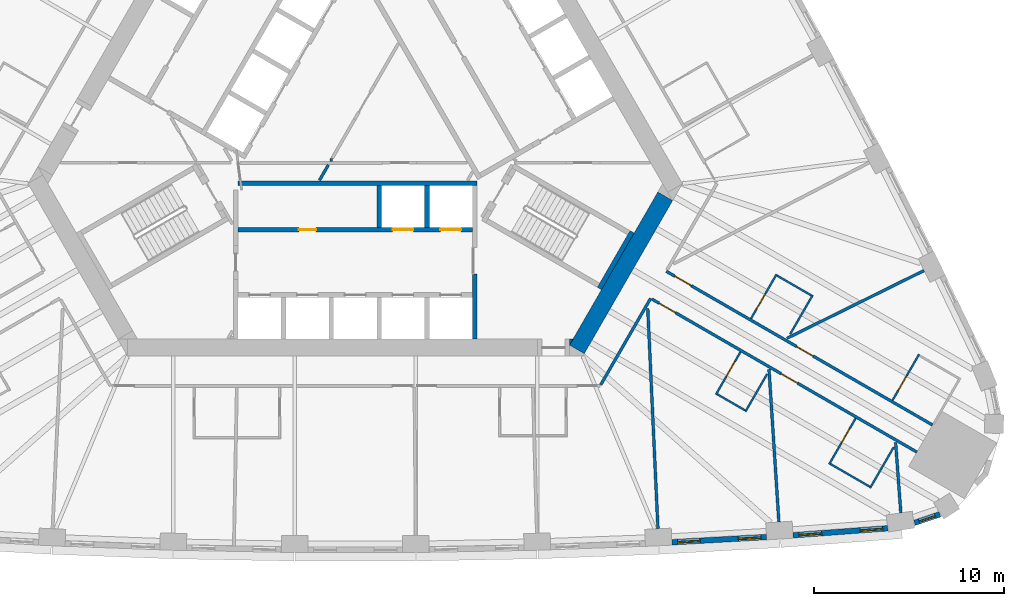
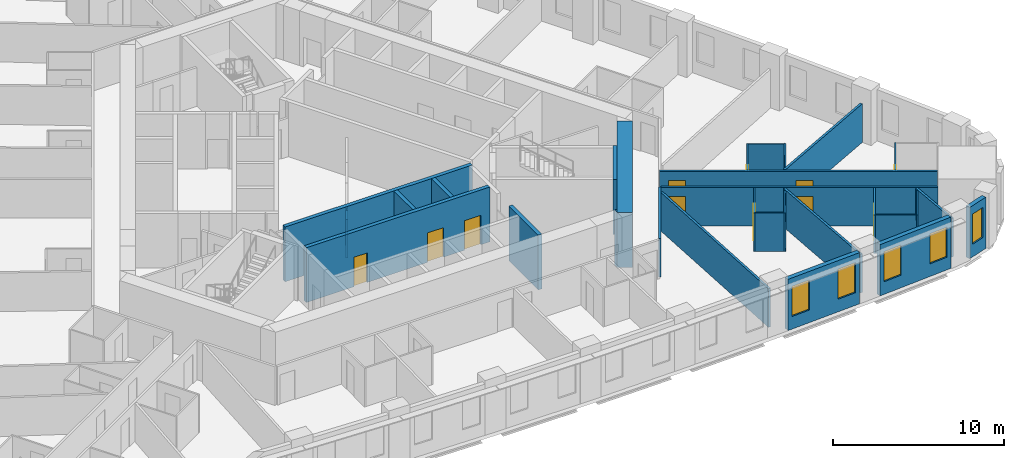
# One storey, part 7 of 13: 30 walls, 11 doors, 5 windows, 16 openings.
"""IFC4 building model written with IfcOpenShell, lengths in metres."""

from ifc_helpers import new_model, si_unit, direction, frame, frame_2d, origin, place, context, subcontext, project, spatial, polyline, rectangle, outline, extrude, material, layer, layer_set, type_object, element, fill, save


model = new_model("IFC4")

# Units and contexts
model_context = context("Model", 3, precision=1e-05, world=origin(), true_north=direction((0.0, 1.0)))
body_context = subcontext(model_context, "Body", "Model", "MODEL_VIEW")
ifc_project = project(units=[si_unit("LENGTHUNIT", "METRE"), si_unit("AREAUNIT", "SQUARE_METRE"), si_unit("VOLUMEUNIT", "CUBIC_METRE"), si_unit("PLANEANGLEUNIT", "RADIAN"), si_unit("MASSUNIT", "GRAM", prefix="KILO")], contexts=[model_context])

# Site, building, storey
site_placement = place(None, origin())
site = spatial("IfcSite", under=ifc_project, at=site_placement, CompositionType="ELEMENT")
building_placement = place(site_placement, origin())
building = spatial("IfcBuilding", under=site, at=building_placement, Name="Mestral Congress Tower", CompositionType="ELEMENT")
storey_placement = place(building_placement, frame((0.0, 0.0, 54.89990234375)))
storey = spatial("IfcBuildingStorey", under=building, at=storey_placement, Name="L12", CompositionType="ELEMENT", Elevation=54.89990234375)

# Walls
ifc_material_1 = material(Name="Fire-rated board partition")
ifc_layer_1 = layer(ifc_material_1, 0.14990234375)
ifc_layer_set_1 = layer_set([ifc_layer_1], Name="Fire-rated board partition")
wall_type_1 = type_object("IfcWallType", Name="Core partition 150", PredefinedType="PARTITIONING", material=ifc_layer_set_1)
wall_1_placement = place(storey_placement, frame((-1.886962890625, -3.71826171875, 0.0), z_axis=(0.0, 0.0, 1.0), x_axis=(0.499842898591, 0.866116087328, 0.0)))
element("IfcWall", 1, at=wall_1_placement, inside=storey, type_object=wall_type_1, Name="L12 core wall", PredefinedType="PARTITIONING", context=body_context, shape_type="SweptSolid", body=[
    extrude(rectangle(XDim=0.935791015625, YDim=0.14990234375, at=frame_2d((0.4677734375, 0.0))), origin(), (0.0, 0.0, 1.0), 2.75),
])
wall_2_placement = place(storey_placement, frame((-1.2119140625, -2.65087890625, 0.0), z_axis=(0.0, 0.0, 1.0), x_axis=(-1.0, 0.0, 0.0)))
element("IfcWall", 2, at=wall_2_placement, inside=storey, type_object=wall_type_1, Name="L12 core wall", PredefinedType="PARTITIONING", context=body_context, shape_type="SweptSolid", body=[
    extrude(rectangle(XDim=0.10791015625, YDim=0.14990234375, at=frame_2d((0.053955078125, 0.0))), origin(), (0.0, 0.0, 1.0), 2.75),
])
ifc_material_2 = material(Name="Concrete C60/75", Category="concrete")
ifc_layer_2 = layer(ifc_material_2, 0.89990234375)
ifc_layer_set_2 = layer_set([ifc_layer_2], Name="Concrete C60/75")
wall_type_2 = type_object("IfcWallType", Name="Core wall RC 900", PredefinedType="SOLIDWALL", material=ifc_layer_set_2)
wall_3_placement = place(storey_placement, frame((11.69482421875, -12.643798828125, 0.0), z_axis=(0.0, 0.0, 1.0), x_axis=(0.500010229568, 0.86601949766, 0.0)))
element("IfcWall", 3, at=wall_3_placement, inside=storey, type_object=wall_type_2, Name="L12 core wall", PredefinedType="SOLIDWALL", context=body_context, shape_type="SweptSolid", body=[
    extrude(rectangle(XDim=9.326416015625, YDim=0.89990234375, at=frame_2d((4.6630859375, 0.0))), origin(), (0.0, 0.0, 1.0), 3.900146484375),
])
wall_4_placement = place(storey_placement, origin())
element("IfcWall", 4, at=wall_4_placement, inside=storey, type_object=wall_type_2, Name="L12 core wall", PredefinedType="SOLIDWALL", context=body_context, shape_type="SweptSolid", body=[
    extrude(outline(polyline([(11.4892578125, -12.10009765625), (11.31201171875, -12.4072265625), (11.31201171875, -12.10009765625), (11.4892578125, -12.10009765625)])), origin(), (0.0, 0.0, 1.0), 3.900146484375),
])

# Wall, openings, windows
ifc_material_3 = material(Name="Precast concrete C40/50 with limestone facing", Category="masonry")
ifc_layer_3 = layer(ifc_material_3, 0.2900390625)
ifc_layer_set_3 = layer_set([ifc_layer_3], Name="Precast concrete C40/50 with limestone facing")
wall_type_3 = type_object("IfcWallType", Name="Facade stone wall 290", PredefinedType="SOLIDWALL", material=ifc_layer_set_3)
wall_5_placement = place(storey_placement, frame((16.7109375, -22.823974609375, 0.0), z_axis=(0.0, 0.0, 1.0), x_axis=(0.998464708705, 0.055391564976, 0.0)))
wall_5 = element("IfcWall", 5, at=wall_5_placement, inside=storey, type_object=wall_type_3, Name="Facade wall F0-07", PredefinedType="SOLIDWALL", context=body_context, shape_type="SweptSolid", body=[
    extrude(rectangle(XDim=4.998046875, YDim=0.2900390625, at=frame_2d((2.4990234375, 0.0))), origin(), (0.0, 0.0, 1.0), 3.650146484375),
])
opening_1_placement = place(wall_5_placement, frame((0.297119140625, 0.0, 0.89990234375)))
opening_1 = element("IfcOpeningElement", 6, at=opening_1_placement, cuts=wall_5, Name="Opening W1", PredefinedType="OPENING", context=body_context, shape_type="SweptSolid", body=[
    extrude(rectangle(XDim=1.199951171875, YDim=2.14990234375, at=frame_2d((0.60009765625, 1.074951171875))), frame((0.0, 0.155029296875, 0.0), z_axis=(0.0, -1.0, 0.0), x_axis=(1.0, 0.0, 0.0)), (0.0, 0.0, 1.0), 0.31005859375),
])
opening_2_placement = place(wall_5_placement, frame((3.501220703125, 0.0, 0.89990234375)))
opening_2 = element("IfcOpeningElement", 7, at=opening_2_placement, cuts=wall_5, Name="Opening W1", PredefinedType="OPENING", context=body_context, shape_type="SweptSolid", body=[
    extrude(rectangle(XDim=1.199951171875, YDim=2.14990234375, at=frame_2d((0.60009765625, 1.074951171875))), frame((0.0, 0.155029296875, 0.0), z_axis=(0.0, -1.0, 0.0), x_axis=(1.0, 0.0, 0.0)), (0.0, 0.0, 1.0), 0.31005859375),
])
ifc_material_4 = material(Name="Clear low-emissivity double glazing", Category="glass")
window_type_1 = type_object("IfcWindowType", Name="Facade punched window 1200 x 2150 sill 900", PartitioningType="DOUBLE_PANEL_VERTICAL", PredefinedType="WINDOW", material=ifc_material_4)
window_1_placement = place(opening_1_placement, origin())
window_1 = element("IfcWindow", 8, at=window_1_placement, inside=storey, type_object=window_type_1, Name="Window F0-07a", OverallHeight=2.14990234375, OverallWidth=1.199951171875, PartitioningType="DOUBLE_PANEL_VERTICAL", PredefinedType="WINDOW", context=body_context, shape_type="SweptSolid", body=[
    extrude(rectangle(XDim=1.199951171875, YDim=2.14990234375, at=frame_2d((0.60009765625, 1.074951171875))), frame((0.0, 0.01513671875, 0.0), z_axis=(0.0, -1.0, 0.0), x_axis=(1.0, 0.0, 0.0)), (0.0, 0.0, 1.0), 0.06005859375),
])
fill(opening_1, window_1)
window_2_placement = place(opening_2_placement, origin())
window_2 = element("IfcWindow", 9, at=window_2_placement, inside=storey, type_object=window_type_1, Name="Window F0-07b", OverallHeight=2.14990234375, OverallWidth=1.199951171875, PartitioningType="DOUBLE_PANEL_VERTICAL", PredefinedType="WINDOW", context=body_context, shape_type="SweptSolid", body=[
    extrude(rectangle(XDim=1.199951171875, YDim=2.14990234375, at=frame_2d((0.60009765625, 1.074951171875))), frame((0.0, 0.01513671875, 0.0), z_axis=(0.0, -1.0, 0.0), x_axis=(1.0, 0.0, 0.0)), (0.0, 0.0, 1.0), 0.06005859375),
])
fill(opening_2, window_2)

wall_6_placement = place(storey_placement, frame((23.10595703125, -22.4560546875, 0.0), z_axis=(0.0, 0.0, 1.0), x_axis=(0.997266290399, 0.073891447643, 0.0)))
wall_6 = element("IfcWall", 10, at=wall_6_placement, inside=storey, type_object=wall_type_3, Name="Facade wall F0-08", PredefinedType="SOLIDWALL", context=body_context, shape_type="SweptSolid", body=[
    extrude(rectangle(XDim=5.005615234375, YDim=0.2900390625, at=frame_2d((2.5029296875, 0.0))), origin(), (0.0, 0.0, 1.0), 3.650146484375),
])
opening_3_placement = place(wall_6_placement, frame((0.31005859375, 0.0, 0.89990234375)))
opening_3 = element("IfcOpeningElement", 11, at=opening_3_placement, cuts=wall_6, Name="Opening W1", PredefinedType="OPENING", context=body_context, shape_type="SweptSolid", body=[
    extrude(rectangle(XDim=1.199951171875, YDim=2.14990234375, at=frame_2d((0.60009765625, 1.074951171875))), frame((0.0, 0.155029296875, 0.0), z_axis=(0.0, -1.0, 0.0), x_axis=(1.0, 0.0, 0.0)), (0.0, 0.0, 1.0), 0.31005859375),
])
opening_4_placement = place(wall_6_placement, frame((3.540283203125, 0.0, 0.89990234375)))
opening_4 = element("IfcOpeningElement", 12, at=opening_4_placement, cuts=wall_6, Name="Opening W1", PredefinedType="OPENING", context=body_context, shape_type="SweptSolid", body=[
    extrude(rectangle(XDim=1.199951171875, YDim=2.14990234375, at=frame_2d((0.60009765625, 1.074951171875))), frame((0.0, 0.155029296875, 0.0), z_axis=(0.0, -1.0, 0.0), x_axis=(1.0, 0.0, 0.0)), (0.0, 0.0, 1.0), 0.31005859375),
])
window_3_placement = place(opening_3_placement, origin())
window_3 = element("IfcWindow", 13, at=window_3_placement, inside=storey, type_object=window_type_1, Name="Window F0-08a", OverallHeight=2.14990234375, OverallWidth=1.199951171875, PartitioningType="DOUBLE_PANEL_VERTICAL", PredefinedType="WINDOW", context=body_context, shape_type="SweptSolid", body=[
    extrude(rectangle(XDim=1.199951171875, YDim=2.14990234375, at=frame_2d((0.60009765625, 1.074951171875))), frame((0.0, 0.01513671875, 0.0), z_axis=(0.0, -1.0, 0.0), x_axis=(1.0, 0.0, 0.0)), (0.0, 0.0, 1.0), 0.06005859375),
])
fill(opening_3, window_3)
window_4_placement = place(opening_4_placement, origin())
window_4 = element("IfcWindow", 14, at=window_4_placement, inside=storey, type_object=window_type_1, Name="Window F0-08b", OverallHeight=2.14990234375, OverallWidth=1.199951171875, PartitioningType="DOUBLE_PANEL_VERTICAL", PredefinedType="WINDOW", context=body_context, shape_type="SweptSolid", body=[
    extrude(rectangle(XDim=1.199951171875, YDim=2.14990234375, at=frame_2d((0.60009765625, 1.074951171875))), frame((0.0, 0.01513671875, 0.0), z_axis=(0.0, -1.0, 0.0), x_axis=(1.0, 0.0, 0.0)), (0.0, 0.0, 1.0), 0.06005859375),
])
fill(opening_4, window_4)

# Wall, opening, window
wall_7_placement = place(storey_placement, frame((29.51171875, -21.80224609375, 0.0), z_axis=(0.0, 0.0, 1.0), x_axis=(0.947903891592, 0.318556450734, 0.0)))
wall_7 = element("IfcWall", 15, at=wall_7_placement, inside=storey, type_object=wall_type_3, Name="Facade wall K0-0", PredefinedType="SOLIDWALL", context=body_context, shape_type="SweptSolid", body=[
    extrude(rectangle(XDim=1.414794921875, YDim=0.2900390625, at=frame_2d((0.70751953125, 0.0))), origin(), (0.0, 0.0, 1.0), 3.650146484375),
])
opening_5_placement = place(wall_7_placement, frame((0.25732421875, 0.0, 0.89990234375)))
opening_5 = element("IfcOpeningElement", 16, at=opening_5_placement, cuts=wall_7, Name="Opening W3", PredefinedType="OPENING", context=body_context, shape_type="SweptSolid", body=[
    extrude(rectangle(XDim=0.89990234375, YDim=2.14990234375, at=frame_2d((0.449951171875, 1.074951171875))), frame((0.0, 0.155029296875, 0.0), z_axis=(0.0, -1.0, 0.0), x_axis=(1.0, 0.0, 0.0)), (0.0, 0.0, 1.0), 0.31005859375),
])
window_type_2 = type_object("IfcWindowType", Name="Facade punched window 900 x 2150 sill 900", PartitioningType="SINGLE_PANEL", PredefinedType="WINDOW", material=ifc_material_4)
window_5_placement = place(opening_5_placement, origin())
window_5 = element("IfcWindow", 17, at=window_5_placement, inside=storey, type_object=window_type_2, Name="Window K0-0", OverallHeight=2.14990234375, OverallWidth=0.89990234375, PartitioningType="SINGLE_PANEL", PredefinedType="WINDOW", context=body_context, shape_type="SweptSolid", body=[
    extrude(rectangle(XDim=0.89990234375, YDim=2.14990234375, at=frame_2d((0.449951171875, 1.074951171875))), frame((0.0, 0.01513671875, 0.0), z_axis=(0.0, -1.0, 0.0), x_axis=(1.0, 0.0, 0.0)), (0.0, 0.0, 1.0), 0.06005859375),
])
fill(opening_5, window_5)

# Wall, opening, door
ifc_material_5 = material(Name="Gypsum board partition on metal studs with mineral wool", Category="composite")
ifc_layer_4 = layer(ifc_material_5, 0.10009765625)
ifc_layer_set_4 = layer_set([ifc_layer_4], Name="Gypsum board partition on metal studs with mineral wool")
wall_type_4 = type_object("IfcWallType", Name="Hotel partition wall 100", PredefinedType="PARTITIONING", material=ifc_layer_set_4)
wall_8_placement = place(storey_placement, frame((20.330078125, -12.77685546875, 0.0), z_axis=(0.0, 0.0, 1.0), x_axis=(-0.500006934395, -0.866021400173, 0.0)))
wall_8 = element("IfcWall", 18, at=wall_8_placement, inside=storey, type_object=wall_type_4, Name="L12-h-pod07a", PredefinedType="PARTITIONING", context=body_context, shape_type="SweptSolid", body=[
    extrude(rectangle(XDim=2.60009765625, YDim=0.10009765625, at=frame_2d((1.300048828125, 0.0))), origin(), (0.0, 0.0, 1.0), 2.75),
])
opening_6_placement = place(wall_8_placement, frame((0.60009765625, 0.0, 0.0)))
opening_6 = element("IfcOpeningElement", 19, at=opening_6_placement, cuts=wall_8, Name="Opening H03-014", PredefinedType="OPENING", context=body_context, shape_type="SweptSolid", body=[
    extrude(rectangle(XDim=0.89990234375, YDim=2.10009765625, at=frame_2d((0.449951171875, 1.050048828125))), frame((0.0, 0.06005859375, 0.0), z_axis=(0.0, -1.0, 0.0), x_axis=(1.0, 0.0, 0.0)), (0.0, 0.0, 1.0), 0.1201171875),
])
ifc_material_6 = material(Name="Timber veneer door leaf in timber frame", Category="wood")
door_type_1 = type_object("IfcDoorType", Name="Bathroom door 900", OperationType="SINGLE_SWING_LEFT", PredefinedType="DOOR", material=ifc_material_6)
door_1_placement = place(opening_6_placement, origin())
door_1 = element("IfcDoor", 20, at=door_1_placement, inside=storey, type_object=door_type_1, Name="L12-h-d014", OperationType="SINGLE_SWING_LEFT", OverallHeight=2.10009765625, OverallWidth=0.89990234375, PredefinedType="DOOR", context=body_context, shape_type="SweptSolid", body=[
    extrude(rectangle(XDim=0.89990234375, YDim=2.10009765625, at=frame_2d((0.449951171875, 1.050048828125))), frame((0.0, 0.02490234375, 0.0), z_axis=(0.0, -1.0, 0.0), x_axis=(1.0, 0.0, 0.0)), (0.0, 0.0, 1.0), 0.050048828125),
])
fill(opening_6, door_1)

# Walls
wall_9_placement = place(storey_placement, frame((19.098388671875, -15.01025390625, 0.0), z_axis=(0.0, 0.0, 1.0), x_axis=(0.86605165483, -0.499954529098, 0.0)))
element("IfcWall", 21, at=wall_9_placement, inside=storey, type_object=wall_type_4, Name="L12-h-pod07b", PredefinedType="PARTITIONING", context=body_context, shape_type="SweptSolid", body=[
    extrude(rectangle(XDim=1.699951171875, YDim=0.10009765625, at=frame_2d((0.85009765625, 0.0))), origin(), (0.0, 0.0, 1.0), 2.75),
])
wall_10_placement = place(storey_placement, frame((21.73388671875, -13.9453125, 0.0), z_axis=(0.0, 0.0, 1.0), x_axis=(-0.500014693593, -0.866016920268, 0.0)))
element("IfcWall", 22, at=wall_10_placement, inside=storey, type_object=wall_type_4, Name="L12-h-pod07c", PredefinedType="PARTITIONING", context=body_context, shape_type="SweptSolid", body=[
    extrude(rectangle(XDim=2.2900390625, YDim=0.10009765625, at=frame_2d((1.14501953125, 0.0))), origin(), (0.0, 0.0, 1.0), 2.75),
])

# Wall, opening, door
wall_11_placement = place(storey_placement, frame((26.40478515625, -16.2841796875, 0.0), z_axis=(0.0, 0.0, 1.0), x_axis=(-0.49998411664, -0.866034573852, 0.0)))
wall_11 = element("IfcWall", 23, at=wall_11_placement, inside=storey, type_object=wall_type_4, Name="L12-h-pod08a", PredefinedType="PARTITIONING", context=body_context, shape_type="SweptSolid", body=[
    extrude(rectangle(XDim=2.7998046875, YDim=0.10009765625, at=frame_2d((1.39990234375, 0.0))), origin(), (0.0, 0.0, 1.0), 2.75),
])
opening_7_placement = place(wall_11_placement, frame((0.60009765625, 0.0, 0.0)))
opening_7 = element("IfcOpeningElement", 24, at=opening_7_placement, cuts=wall_11, Name="Opening H03-016", PredefinedType="OPENING", context=body_context, shape_type="SweptSolid", body=[
    extrude(rectangle(XDim=0.89990234375, YDim=2.10009765625, at=frame_2d((0.449951171875, 1.050048828125))), frame((0.0, 0.06005859375, 0.0), z_axis=(0.0, -1.0, 0.0), x_axis=(1.0, 0.0, 0.0)), (0.0, 0.0, 1.0), 0.1201171875),
])
door_2_placement = place(opening_7_placement, origin())
door_2 = element("IfcDoor", 25, at=door_2_placement, inside=storey, type_object=door_type_1, Name="L12-h-d016", OperationType="SINGLE_SWING_LEFT", OverallHeight=2.10009765625, OverallWidth=0.89990234375, PredefinedType="DOOR", context=body_context, shape_type="SweptSolid", body=[
    extrude(rectangle(XDim=0.89990234375, YDim=2.10009765625, at=frame_2d((0.449951171875, 1.050048828125))), frame((0.0, 0.02490234375, 0.0), z_axis=(0.0, -1.0, 0.0), x_axis=(1.0, 0.0, 0.0)), (0.0, 0.0, 1.0), 0.050048828125),
])
fill(opening_7, door_2)

# Walls
wall_12_placement = place(storey_placement, frame((25.0732421875, -18.690673828125, 0.0), z_axis=(0.0, 0.0, 1.0), x_axis=(0.866024647952, -0.500001309137, 0.0)))
element("IfcWall", 26, at=wall_12_placement, inside=storey, type_object=wall_type_4, Name="L12-h-pod08b", PredefinedType="PARTITIONING", context=body_context, shape_type="SweptSolid", body=[
    extrude(rectangle(XDim=2.39990234375, YDim=0.10009765625, at=frame_2d((1.199951171875, 0.0))), origin(), (0.0, 0.0, 1.0), 2.75),
])
wall_13_placement = place(storey_placement, frame((28.414794921875, -17.802490234375, 0.0), z_axis=(0.0, 0.0, 1.0), x_axis=(-0.499945955465, -0.866056604163, 0.0)))
element("IfcWall", 27, at=wall_13_placement, inside=storey, type_object=wall_type_4, Name="L12-h-pod08c", PredefinedType="PARTITIONING", context=body_context, shape_type="SweptSolid", body=[
    extrude(rectangle(XDim=2.489990234375, YDim=0.10009765625, at=frame_2d((1.2451171875, 0.0))), origin(), (0.0, 0.0, 1.0), 2.75),
])

# Wall, opening, door
wall_14_placement = place(storey_placement, frame((29.75244140625, -12.9052734375, 0.0), z_axis=(0.0, 0.0, 1.0), x_axis=(-0.500049511043, -0.865996816683, 0.0)))
wall_14 = element("IfcWall", 28, at=wall_14_placement, inside=storey, type_object=wall_type_4, Name="L12-h-pod09a", PredefinedType="PARTITIONING", context=body_context, shape_type="SweptSolid", body=[
    extrude(rectangle(XDim=2.800048828125, YDim=0.10009765625, at=frame_2d((1.39990234375, 0.0))), origin(), (0.0, 0.0, 1.0), 2.75),
])
opening_8_placement = place(wall_14_placement, frame((1.300048828125, 0.0, 0.0)))
opening_8 = element("IfcOpeningElement", 29, at=opening_8_placement, cuts=wall_14, Name="Opening H03-018", PredefinedType="OPENING", context=body_context, shape_type="SweptSolid", body=[
    extrude(rectangle(XDim=0.89990234375, YDim=2.10009765625, at=frame_2d((0.449951171875, 1.050048828125))), frame((0.0, 0.06005859375, 0.0), z_axis=(0.0, -1.0, 0.0), x_axis=(1.0, 0.0, 0.0)), (0.0, 0.0, 1.0), 0.1201171875),
])
door_3_placement = place(opening_8_placement, origin())
door_3 = element("IfcDoor", 30, at=door_3_placement, inside=storey, type_object=door_type_1, Name="L12-h-d018", OperationType="SINGLE_SWING_RIGHT", OverallHeight=2.10009765625, OverallWidth=0.89990234375, PredefinedType="DOOR", context=body_context, shape_type="SweptSolid", body=[
    extrude(rectangle(XDim=0.89990234375, YDim=2.10009765625, at=frame_2d((0.449951171875, 1.050048828125))), frame((0.0, 0.02490234375, 0.0), z_axis=(0.0, -1.0, 0.0), x_axis=(1.0, 0.0, 0.0)), (0.0, 0.0, 1.0), 0.050048828125),
])
fill(opening_8, door_3)

wall_15_placement = place(storey_placement, frame((22.23388671875, -8.6796875, 0.0), z_axis=(0.0, 0.0, 1.0), x_axis=(-0.50000943426, -0.866019956843, 0.0)))
wall_15 = element("IfcWall", 31, at=wall_15_placement, inside=storey, type_object=wall_type_4, Name="L12-h-pod10a", PredefinedType="PARTITIONING", context=body_context, shape_type="SweptSolid", body=[
    extrude(rectangle(XDim=2.7001953125, YDim=0.10009765625, at=frame_2d((1.35009765625, 0.0))), origin(), (0.0, 0.0, 1.0), 2.75),
])
opening_9_placement = place(wall_15_placement, frame((1.199951171875, 0.0, 0.0)))
opening_9 = element("IfcOpeningElement", 32, at=opening_9_placement, cuts=wall_15, Name="Opening H03-020", PredefinedType="OPENING", context=body_context, shape_type="SweptSolid", body=[
    extrude(rectangle(XDim=0.89990234375, YDim=2.10009765625, at=frame_2d((0.449951171875, 1.050048828125))), frame((0.0, 0.06005859375, 0.0), z_axis=(0.0, -1.0, 0.0), x_axis=(1.0, 0.0, 0.0)), (0.0, 0.0, 1.0), 0.1201171875),
])
door_4_placement = place(opening_9_placement, origin())
door_4 = element("IfcDoor", 33, at=door_4_placement, inside=storey, type_object=door_type_1, Name="L12-h-d020", OperationType="SINGLE_SWING_LEFT", OverallHeight=2.10009765625, OverallWidth=0.89990234375, PredefinedType="DOOR", context=body_context, shape_type="SweptSolid", body=[
    extrude(rectangle(XDim=0.89990234375, YDim=2.10009765625, at=frame_2d((0.449951171875, 1.050048828125))), frame((0.0, 0.02490234375, 0.0), z_axis=(0.0, -1.0, 0.0), x_axis=(1.0, 0.0, 0.0)), (0.0, 0.0, 1.0), 0.050048828125),
])
fill(opening_9, door_4)

# Walls
wall_16_placement = place(storey_placement, frame((22.252197265625, -8.748046875, 0.0), z_axis=(0.0, 0.0, 1.0), x_axis=(0.866009402589, -0.500027713859, 0.0)))
element("IfcWall", 34, at=wall_16_placement, inside=storey, type_object=wall_type_4, Name="L12-h-pod10b", PredefinedType="PARTITIONING", context=body_context, shape_type="SweptSolid", body=[
    extrude(rectangle(XDim=2.10009765625, YDim=0.10009765625, at=frame_2d((1.050048828125, 0.0))), origin(), (0.0, 0.0, 1.0), 2.75),
])
wall_17_placement = place(storey_placement, frame((22.944091796875, -11.849609375, 0.0), z_axis=(0.0, 0.0, 1.0), x_axis=(0.499940577336, 0.866059708757, 0.0)))
element("IfcWall", 35, at=wall_17_placement, inside=storey, type_object=wall_type_4, Name="L12-h-pod10c", PredefinedType="PARTITIONING", context=body_context, shape_type="SweptSolid", body=[
    extrude(rectangle(XDim=2.389892578125, YDim=0.10009765625, at=frame_2d((1.19482421875, 0.0))), origin(), (0.0, 0.0, 1.0), 2.75),
])

# Wall, openings, doors
ifc_layer_5 = layer(ifc_material_5, 0.14990234375)
ifc_layer_set_5 = layer_set([ifc_layer_5], Name="Gypsum board partition on metal studs with mineral wool")
wall_type_5 = type_object("IfcWallType", Name="Hotel partition wall 150", PredefinedType="PARTITIONING", material=ifc_layer_set_5)
wall_18_placement = place(storey_placement, frame((16.412353515625, -8.52294921875, 0.0), z_axis=(0.0, 0.0, 1.0), x_axis=(0.866022197818, -0.500005552856, 0.0)))
wall_18 = element("IfcWall", 36, at=wall_18_placement, inside=storey, type_object=wall_type_5, Name="L12-h-cw01", PredefinedType="PARTITIONING", context=body_context, shape_type="SweptSolid", body=[
    extrude(rectangle(XDim=16.223876953125, YDim=0.14990234375, at=frame_2d((8.11181640625, 0.0))), origin(), (0.0, 0.0, 1.0), 2.75),
])
opening_10_placement = place(wall_18_placement, frame((7.94921875, 0.0, 0.0)))
opening_10 = element("IfcOpeningElement", 37, at=opening_10_placement, cuts=wall_18, Name="Opening H03-017", PredefinedType="OPENING", context=body_context, shape_type="SweptSolid", body=[
    extrude(rectangle(XDim=1.0, YDim=2.10009765625, at=frame_2d((0.5, 1.050048828125))), frame((0.0, 0.0849609375, 0.0), z_axis=(0.0, -1.0, 0.0), x_axis=(1.0, 0.0, 0.0)), (0.0, 0.0, 1.0), 0.169921875),
])
opening_11_placement = place(wall_18_placement, frame((0.526123046875, 0.0, 0.0)))
opening_11 = element("IfcOpeningElement", 38, at=opening_11_placement, cuts=wall_18, Name="Opening H03-019", PredefinedType="OPENING", context=body_context, shape_type="SweptSolid", body=[
    extrude(rectangle(XDim=1.0, YDim=2.10009765625, at=frame_2d((0.5, 1.050048828125))), frame((0.0, 0.0849609375, 0.0), z_axis=(0.0, -1.0, 0.0), x_axis=(1.0, 0.0, 0.0)), (0.0, 0.0, 1.0), 0.169921875),
])
ifc_material_7 = material(Name="Timber veneer door leaf in metal frame", Category="wood")
door_type_2 = type_object("IfcDoorType", Name="Guest room entrance door 1000", OperationType="SINGLE_SWING_LEFT", PredefinedType="DOOR", material=ifc_material_7)
door_5_placement = place(opening_10_placement, origin())
door_5 = element("IfcDoor", 39, at=door_5_placement, inside=storey, type_object=door_type_2, Name="L12-h-d017", OperationType="SINGLE_SWING_LEFT", OverallHeight=2.10009765625, OverallWidth=1.0, PredefinedType="DOOR", context=body_context, shape_type="SweptSolid", body=[
    extrude(rectangle(XDim=1.0, YDim=2.10009765625, at=frame_2d((0.5, 1.050048828125))), frame((0.0, 0.02490234375, 0.0), z_axis=(0.0, -1.0, 0.0), x_axis=(1.0, 0.0, 0.0)), (0.0, 0.0, 1.0), 0.050048828125),
])
fill(opening_10, door_5)
door_6_placement = place(opening_11_placement, origin())
door_6 = element("IfcDoor", 40, at=door_6_placement, inside=storey, type_object=door_type_2, Name="L12-h-d019", OperationType="SINGLE_SWING_LEFT", OverallHeight=2.10009765625, OverallWidth=1.0, PredefinedType="DOOR", context=body_context, shape_type="SweptSolid", body=[
    extrude(rectangle(XDim=1.0, YDim=2.10009765625, at=frame_2d((0.5, 1.050048828125))), frame((0.0, 0.02490234375, 0.0), z_axis=(0.0, -1.0, 0.0), x_axis=(1.0, 0.0, 0.0)), (0.0, 0.0, 1.0), 0.050048828125),
])
fill(opening_11, door_6)

# Wall
wall_19_placement = place(storey_placement, frame((15.58740234375, -9.951904296875, 0.0), z_axis=(0.0, 0.0, 1.0), x_axis=(-0.500016618951, -0.866015808616, 0.0)))
element("IfcWall", 41, at=wall_19_placement, inside=storey, type_object=wall_type_5, Name="L12-h-cw14", PredefinedType="PARTITIONING", context=body_context, shape_type="SweptSolid", body=[
    extrude(rectangle(XDim=5.268310546875, YDim=0.14990234375, at=frame_2d((2.63427734375, 0.0))), origin(), (0.0, 0.0, 1.0), 2.75),
])

# Wall, openings, doors
wall_20_placement = place(storey_placement, frame((29.6376953125, -18.06396484375, 0.0), z_axis=(0.0, 0.0, 1.0), x_axis=(-0.866026175601, 0.499998663172, 0.0)))
wall_20 = element("IfcWall", 42, at=wall_20_placement, inside=storey, type_object=wall_type_5, Name="L12-h-cw15", PredefinedType="PARTITIONING", context=body_context, shape_type="SweptSolid", body=[
    extrude(rectangle(XDim=16.14404296875, YDim=0.14990234375, at=frame_2d((8.072021484375, 0.0))), origin(), (0.0, 0.0, 1.0), 2.75),
])
opening_12_placement = place(wall_20_placement, frame((14.7138671875, 0.0, 0.0)))
opening_12 = element("IfcOpeningElement", 43, at=opening_12_placement, cuts=wall_20, Name="Opening H03-013", PredefinedType="OPENING", context=body_context, shape_type="SweptSolid", body=[
    extrude(rectangle(XDim=1.0, YDim=2.10009765625, at=frame_2d((0.5, 1.050048828125))), frame((0.0, 0.0849609375, 0.0), z_axis=(0.0, -1.0, 0.0), x_axis=(1.0, 0.0, 0.0)), (0.0, 0.0, 1.0), 0.169921875),
])
opening_13_placement = place(wall_20_placement, frame((7.275146484375, 0.0, 0.0)))
opening_13 = element("IfcOpeningElement", 44, at=opening_13_placement, cuts=wall_20, Name="Opening H03-015", PredefinedType="OPENING", context=body_context, shape_type="SweptSolid", body=[
    extrude(rectangle(XDim=1.0, YDim=2.10009765625, at=frame_2d((0.5, 1.050048828125))), frame((0.0, 0.0849609375, 0.0), z_axis=(0.0, -1.0, 0.0), x_axis=(1.0, 0.0, 0.0)), (0.0, 0.0, 1.0), 0.169921875),
])
door_7_placement = place(opening_12_placement, origin())
door_7 = element("IfcDoor", 45, at=door_7_placement, inside=storey, type_object=door_type_2, Name="L12-h-d013", OperationType="SINGLE_SWING_RIGHT", OverallHeight=2.10009765625, OverallWidth=1.0, PredefinedType="DOOR", context=body_context, shape_type="SweptSolid", body=[
    extrude(rectangle(XDim=1.0, YDim=2.10009765625, at=frame_2d((0.5, 1.050048828125))), frame((0.0, 0.02490234375, 0.0), z_axis=(0.0, -1.0, 0.0), x_axis=(1.0, 0.0, 0.0)), (0.0, 0.0, 1.0), 0.050048828125),
])
fill(opening_12, door_7)
door_8_placement = place(opening_13_placement, origin())
door_8 = element("IfcDoor", 46, at=door_8_placement, inside=storey, type_object=door_type_2, Name="L12-h-d015", OperationType="SINGLE_SWING_RIGHT", OverallHeight=2.10009765625, OverallWidth=1.0, PredefinedType="DOOR", context=body_context, shape_type="SweptSolid", body=[
    extrude(rectangle(XDim=1.0, YDim=2.10009765625, at=frame_2d((0.5, 1.050048828125))), frame((0.0, 0.02490234375, 0.0), z_axis=(0.0, -1.0, 0.0), x_axis=(1.0, 0.0, 0.0)), (0.0, 0.0, 1.0), 0.050048828125),
])
fill(opening_13, door_8)

# Walls
wall_21_placement = place(storey_placement, frame((15.973388671875, -22.10888671875, 0.0), z_axis=(0.0, 0.0, 1.0), x_axis=(-0.046191717129, 0.998932592955, 0.0)))
element("IfcWall", 47, at=wall_21_placement, inside=storey, type_object=wall_type_5, Name="L12-h-pw22", PredefinedType="PARTITIONING", context=body_context, shape_type="SweptSolid", body=[
    extrude(rectangle(XDim=11.638427734375, YDim=0.14990234375, at=frame_2d((5.8193359375, 0.0))), origin(), (0.0, 0.0, 1.0), 2.75),
])
for number, where, z_axis, x_axis, name in (
    (48, (22.355224609375, -21.75439453125, 0.0), (0.0, 0.0, 1.0), (-0.064639533143, 0.997908678565, 0.0), "L12-h-pw25"),
    (49, (30.017578125, -8.48291015625, 0.0), (0.0, 0.0, 1.0), (-0.896544505264, -0.44295366584, 0.0), "L12-h-pw26"),
):
    element("IfcWall", number, at=place(storey_placement, frame(where, z_axis=z_axis, x_axis=x_axis)), inside=storey, type_object=wall_type_5, Name=name, PredefinedType="PARTITIONING", context=body_context, shape_type="SweptSolid", body=[
        extrude(rectangle(XDim=8.078857421875, YDim=0.14990234375, at=frame_2d((4.03955078125, 0.0))), origin(), (0.0, 0.0, 1.0), 2.75),
    ])
wall_22_placement = place(storey_placement, frame((28.78955078125, -21.272705078125, 0.0), z_axis=(0.0, 0.0, 1.0), x_axis=(-0.07382592098, 0.997271143366, 0.0)))
element("IfcWall", 50, at=wall_22_placement, inside=storey, type_object=wall_type_5, Name="L12-h-pw27", PredefinedType="PARTITIONING", context=body_context, shape_type="SweptSolid", body=[
    extrude(rectangle(XDim=3.733642578125, YDim=0.14990234375, at=frame_2d((1.86669921875, 0.0))), origin(), (0.0, 0.0, 1.0), 2.75),
])
ifc_layer_6 = layer(ifc_material_2, 0.25)
ifc_layer_set_6 = layer_set([ifc_layer_6], Name="Concrete C60/75")
wall_type_6 = type_object("IfcWallType", Name="Shaft wall RC 250", PredefinedType="SOLIDWALL", material=ifc_layer_set_6)
wall_23_placement = place(storey_placement, frame((-6.189697265625, -3.875, 0.0), z_axis=(0.0, 0.0, 1.0), x_axis=(1.0, 0.0, 0.0)))
element("IfcWall", 51, at=wall_23_placement, inside=storey, type_object=wall_type_6, Name="L12 core wall", PredefinedType="SOLIDWALL", context=body_context, shape_type="SweptSolid", body=[
    extrude(rectangle(XDim=12.61474609375, YDim=0.25, at=frame_2d((6.307373046875, 0.0))), origin(), (0.0, 0.0, 1.0), 3.900146484375),
])
wall_24_placement = place(storey_placement, frame((6.300048828125, -8.669921875, 0.0), z_axis=(0.0, 0.0, 1.0), x_axis=(0.0, -1.0, 0.0)))
element("IfcWall", 52, at=wall_24_placement, inside=storey, type_object=wall_type_6, Name="L12 core wall", PredefinedType="SOLIDWALL", context=body_context, shape_type="SweptSolid", body=[
    extrude(rectangle(XDim=3.43017578125, YDim=0.25, at=frame_2d((1.715087890625, 0.0))), origin(), (0.0, 0.0, 1.0), 3.900146484375),
])
for number, where, z_axis, x_axis, name in (
    (53, (3.780029296875, -4.0, 0.0), (0.0, 0.0, 1.0), (0.0, -1.0, 0.0), "L12 core wall"),
    (54, (1.260009765625, -4.0, 0.0), (0.0, 0.0, 1.0), (0.0, -1.0, 0.0), "L12 core wall"),
):
    element("IfcWall", number, at=place(storey_placement, frame(where, z_axis=z_axis, x_axis=x_axis)), inside=storey, type_object=wall_type_6, Name=name, PredefinedType="SOLIDWALL", context=body_context, shape_type="SweptSolid", body=[
        extrude(rectangle(XDim=2.199951171875, YDim=0.25, at=frame_2d((1.10009765625, 0.0))), origin(), (0.0, 0.0, 1.0), 3.900146484375),
    ])

# Wall, openings, doors
wall_25_placement = place(storey_placement, frame((-6.175048828125, -6.324951171875, 0.0), z_axis=(0.0, 0.0, 1.0), x_axis=(1.0, 0.0, 0.0)))
wall_25 = element("IfcWall", 55, at=wall_25_placement, inside=storey, type_object=wall_type_6, Name="L12 door wall", PredefinedType="SOLIDWALL", context=body_context, shape_type="SweptSolid", body=[
    extrude(rectangle(XDim=12.35009765625, YDim=0.25, at=frame_2d((6.175048828125, 0.0))), origin(), (0.0, 0.0, 1.0), 3.900146484375),
])
opening_14_placement = place(wall_25_placement, frame((3.205078125, 0.0, 0.0)))
opening_14 = element("IfcOpeningElement", 56, at=opening_14_placement, cuts=wall_25, Name="Opening SR-SOB1", PredefinedType="OPENING", context=body_context, shape_type="SweptSolid", body=[
    extrude(rectangle(XDim=0.89990234375, YDim=2.10009765625, at=frame_2d((0.449951171875, 1.050048828125))), frame((0.0, 0.135009765625, 0.0), z_axis=(0.0, -1.0, 0.0), x_axis=(1.0, 0.0, 0.0)), (0.0, 0.0, 1.0), 0.27001953125),
])
opening_15_placement = place(wall_25_placement, frame((8.14501953125, 0.0, 0.0)))
opening_15 = element("IfcOpeningElement", 57, at=opening_15_placement, cuts=wall_25, Name="Opening LD-SOB4", PredefinedType="OPENING", context=body_context, shape_type="SweptSolid", body=[
    extrude(rectangle(XDim=1.10009765625, YDim=2.10009765625, at=frame_2d((0.550048828125, 1.050048828125))), frame((0.0, 0.135009765625, 0.0), z_axis=(0.0, -1.0, 0.0), x_axis=(1.0, 0.0, 0.0)), (0.0, 0.0, 1.0), 0.27001953125),
])
opening_16_placement = place(wall_25_placement, frame((10.6650390625, 0.0, 0.0)))
opening_16 = element("IfcOpeningElement", 58, at=opening_16_placement, cuts=wall_25, Name="Opening LD-SOB5", PredefinedType="OPENING", context=body_context, shape_type="SweptSolid", body=[
    extrude(rectangle(XDim=1.10009765625, YDim=2.10009765625, at=frame_2d((0.550048828125, 1.050048828125))), frame((0.0, 0.135009765625, 0.0), z_axis=(0.0, -1.0, 0.0), x_axis=(1.0, 0.0, 0.0)), (0.0, 0.0, 1.0), 0.27001953125),
])
ifc_material_8 = material(Name="Fire-rated steel door set", Category="steel")
door_type_3 = type_object("IfcDoorType", Name="Core door LD 1100x2100", OperationType="DOUBLE_DOOR_SLIDING", PredefinedType="DOOR", material=ifc_material_8)
door_9_placement = place(opening_15_placement, origin())
door_9 = element("IfcDoor", 59, at=door_9_placement, inside=storey, type_object=door_type_3, Name="Door LD-SOB4", OperationType="DOUBLE_DOOR_SLIDING", OverallHeight=2.10009765625, OverallWidth=1.10009765625, PredefinedType="DOOR", context=body_context, shape_type="SweptSolid", body=[
    extrude(rectangle(XDim=1.10009765625, YDim=2.10009765625, at=frame_2d((0.550048828125, 1.050048828125))), frame((0.0, 0.02490234375, 0.0), z_axis=(0.0, -1.0, 0.0), x_axis=(1.0, 0.0, 0.0)), (0.0, 0.0, 1.0), 0.050048828125),
])
fill(opening_15, door_9)
door_10_placement = place(opening_16_placement, origin())
door_10 = element("IfcDoor", 60, at=door_10_placement, inside=storey, type_object=door_type_3, Name="Door LD-SOB5", OperationType="DOUBLE_DOOR_SLIDING", OverallHeight=2.10009765625, OverallWidth=1.10009765625, PredefinedType="DOOR", context=body_context, shape_type="SweptSolid", body=[
    extrude(rectangle(XDim=1.10009765625, YDim=2.10009765625, at=frame_2d((0.550048828125, 1.050048828125))), frame((0.0, 0.02490234375, 0.0), z_axis=(0.0, -1.0, 0.0), x_axis=(1.0, 0.0, 0.0)), (0.0, 0.0, 1.0), 0.050048828125),
])
fill(opening_16, door_10)
door_type_4 = type_object("IfcDoorType", Name="Core door SR 900x2100", OperationType="SINGLE_SWING_LEFT", PredefinedType="DOOR", material=ifc_material_8)
door_11_placement = place(opening_14_placement, origin())
door_11 = element("IfcDoor", 61, at=door_11_placement, inside=storey, type_object=door_type_4, Name="Door SR-SOB1", OperationType="SINGLE_SWING_LEFT", OverallHeight=2.10009765625, OverallWidth=0.89990234375, PredefinedType="DOOR", context=body_context, shape_type="SweptSolid", body=[
    extrude(rectangle(XDim=0.89990234375, YDim=2.10009765625, at=frame_2d((0.449951171875, 1.050048828125))), frame((0.0, 0.02490234375, 0.0), z_axis=(0.0, -1.0, 0.0), x_axis=(1.0, 0.0, 0.0)), (0.0, 0.0, 1.0), 0.050048828125),
])
fill(opening_14, door_11)

# Wall
ifc_layer_7 = layer(ifc_material_2, 0.25)
ifc_layer_set_7 = layer_set([ifc_layer_7], Name="Concrete C60/75")
wall_type_7 = type_object("IfcWallType", Name="Stair wall RC 250", PredefinedType="SOLIDWALL", material=ifc_layer_set_7)
wall_26_placement = place(storey_placement, frame((12.885498046875, -9.431396484375, 0.0), z_axis=(0.0, 0.0, 1.0), x_axis=(0.500020560727, 0.866013532718, 0.0)))
element("IfcWall", 62, at=wall_26_placement, inside=storey, type_object=wall_type_7, Name="L12 core wall", PredefinedType="SOLIDWALL", context=body_context, shape_type="SweptSolid", body=[
    extrude(rectangle(XDim=3.449951171875, YDim=0.25, at=frame_2d((1.72509765625, 0.0))), origin(), (0.0, 0.0, 1.0), 3.900146484375),
])

save(model, "model.ifc")
